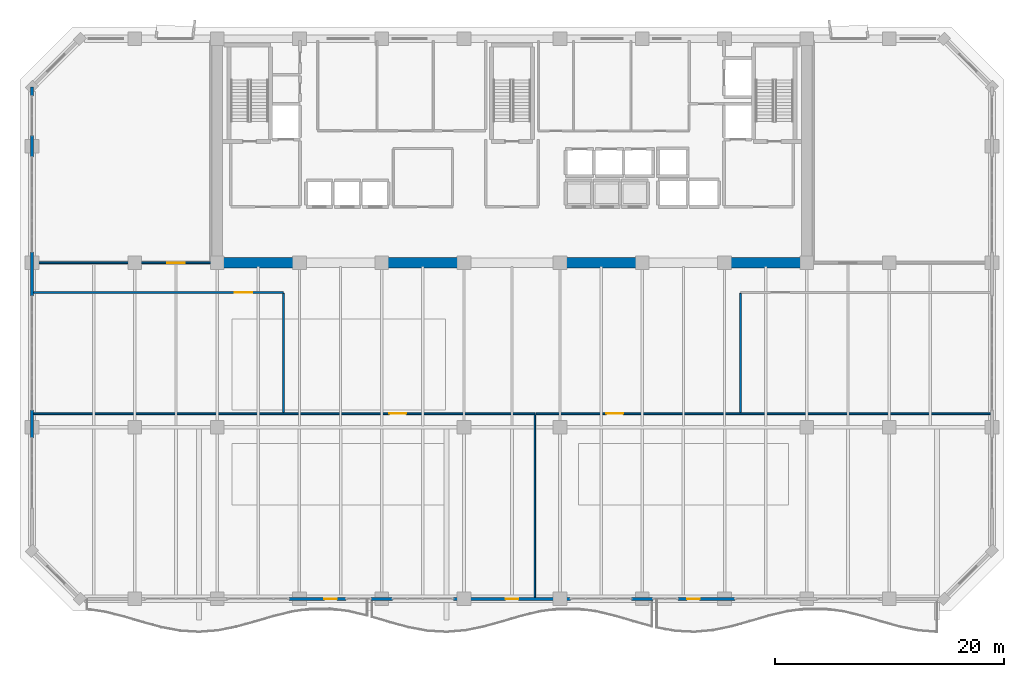
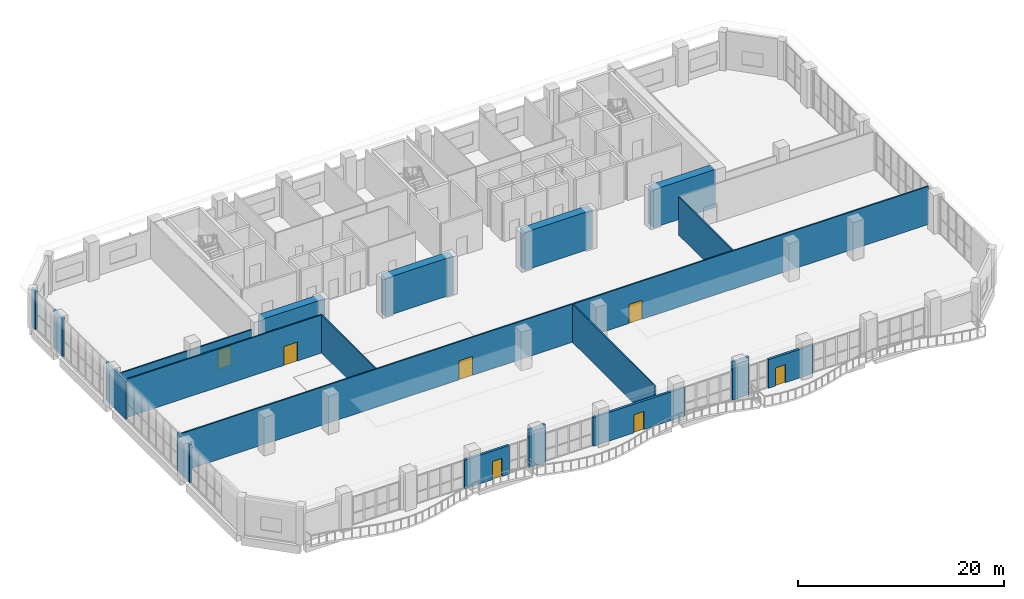
# One storey, part 28 of 37: 20 walls, 7 doors, 7 openings.
"""IFC4 building model written with IfcOpenShell, lengths in metres."""

from ifc_helpers import new_model, si_unit, direction, frame, frame_2d, origin, place, context, subcontext, project, spatial, rectangle, extrude, material, layer, layer_set, type_object, element, fill, save


model = new_model("IFC4")

# Units and contexts
model_context = context("Model", 3, precision=1e-05, world=origin(), true_north=direction((0.0, 1.0)))
body_context = subcontext(model_context, "Body", "Model", "MODEL_VIEW")
ifc_project = project(units=[si_unit("LENGTHUNIT", "METRE"), si_unit("AREAUNIT", "SQUARE_METRE"), si_unit("VOLUMEUNIT", "CUBIC_METRE"), si_unit("PLANEANGLEUNIT", "RADIAN"), si_unit("MASSUNIT", "GRAM", prefix="KILO")], contexts=[model_context])

# Site, building, storey
site_placement = place(None, origin())
site = spatial("IfcSite", under=ifc_project, at=site_placement, CompositionType="ELEMENT")
building_placement = place(site_placement, origin())
building = spatial("IfcBuilding", under=site, at=building_placement, Name="Kaelvorn Grand Hotel", CompositionType="ELEMENT")
storey_placement = place(building_placement, frame((0.0, 0.0, 130.550048828125)))
storey = spatial("IfcBuildingStorey", under=building, at=storey_placement, Name="L31", CompositionType="ELEMENT", Elevation=130.550048828125)

# Walls
ifc_material_1 = material(Name="Concrete C60/75", Category="concrete")
ifc_layer_1 = layer(ifc_material_1, 0.89990234375)
ifc_layer_set_1 = layer_set([ifc_layer_1], Name="Concrete C60/75")
wall_type_1 = type_object("IfcWallType", Name="WL-CORE-900-C60", PredefinedType="SHEAR", material=ifc_layer_set_1)
wall_1_placement = place(storey_placement, frame((16.655029296875, 29.39990234375, 0.0), z_axis=(0.0, 0.0, 1.0), x_axis=(1.0, 0.0, 0.0)))
element("IfcWall", 1, at=wall_1_placement, inside=storey, type_object=wall_type_1, Name="L31 Rear-Core Coupled Shear Pier S1", PredefinedType="SHEAR", context=body_context, shape_type="SweptSolid", body=[
    extrude(rectangle(XDim=6.945068359375, YDim=0.89990234375, at=frame_2d((3.47265625, 0.0))), origin(), (0.0, 0.0, 1.0), 4.52001953125),
])
for number, where, z_axis, x_axis, name in (
    (2, (30.39990234375, 29.39990234375, 0.0), (0.0, 0.0, 1.0), (1.0, 0.0, 0.0), "L31 Rear-Core Coupled Shear Pier S2"),
    (3, (46.0, 29.39990234375, 0.0), (0.0, 0.0, 1.0), (1.0, 0.0, 0.0), "L31 Rear-Core Coupled Shear Pier S3"),
):
    element("IfcWall", number, at=place(storey_placement, frame(where, z_axis=z_axis, x_axis=x_axis)), inside=storey, type_object=wall_type_1, Name=name, PredefinedType="SHEAR", context=body_context, shape_type="SweptSolid", body=[
        extrude(rectangle(XDim=7.60009765625, YDim=0.89990234375, at=frame_2d((3.800048828125, 0.0))), origin(), (0.0, 0.0, 1.0), 4.52001953125),
    ])
wall_2_placement = place(storey_placement, frame((60.39990234375, 29.39990234375, 0.0), z_axis=(0.0, 0.0, 1.0), x_axis=(1.0, 0.0, 0.0)))
element("IfcWall", 4, at=wall_2_placement, inside=storey, type_object=wall_type_1, Name="L31 Rear-Core Coupled Shear Pier S4", PredefinedType="SHEAR", context=body_context, shape_type="SweptSolid", body=[
    extrude(rectangle(XDim=6.945068359375, YDim=0.89990234375, at=frame_2d((3.47265625, 0.0))), origin(), (0.0, 0.0, 1.0), 4.52001953125),
])

# Wall, opening, door
ifc_material_2 = material(Name="Concrete C40/50", Category="concrete")
ifc_layer_2 = layer(ifc_material_2, 0.260009765625)
ifc_layer_set_2 = layer_set([ifc_layer_2], Name="Concrete C40/50")
wall_type_2 = type_object("IfcWallType", Name="WL-EXT-260-C40", PredefinedType="SOLIDWALL", material=ifc_layer_set_2)
wall_3_placement = place(storey_placement, frame((22.47509765625, 0.0, 0.0), z_axis=(0.0, 0.0, 1.0), x_axis=(1.0, 0.0, 0.0)))
wall_3 = element("IfcWall", 5, at=wall_3_placement, inside=storey, type_object=wall_type_2, Name="L31 Exterior Architectural Concrete Wall 01 Pier 3", PredefinedType="SOLIDWALL", context=body_context, shape_type="SweptSolid", body=[
    extrude(rectangle(XDim=5.01318359375, YDim=0.260009765625, at=frame_2d((2.506591796875, 0.0))), origin(), (0.0, 0.0, 1.0), 3.39990234375),
])
opening_1_placement = place(wall_3_placement, frame((3.1083984375, 0.0, 0.0)))
opening_1 = element("IfcOpeningElement", 6, at=opening_1_placement, cuts=wall_3, Name="Opening DE2", PredefinedType="OPENING", context=body_context, shape_type="SweptSolid", body=[
    extrude(rectangle(XDim=1.10009765625, YDim=2.14990234375, at=frame_2d((0.550048828125, 1.074951171875))), frame((0.0, 0.14013671875, 0.0), z_axis=(0.0, -1.0, 0.0), x_axis=(1.0, 0.0, 0.0)), (0.0, 0.0, 1.0), 0.280029296875),
])
ifc_material_3 = material(Name="Anodised Aluminium", Category="aluminium")
door_type_1 = type_object("IfcDoorType", Name="DR-EXT-BALC-1100x2150", OperationType="NOTDEFINED", PredefinedType="DOOR", material=ifc_material_3)
door_1_placement = place(opening_1_placement, origin())
door_1 = element("IfcDoor", 7, at=door_1_placement, inside=storey, type_object=door_type_1, Name="L31 Scalloped Balcony Glazed Door DE2-1", OperationType="SINGLE_SWING_LEFT", OverallHeight=2.14990234375, OverallWidth=1.10009765625, PredefinedType="DOOR", context=body_context, shape_type="SweptSolid", body=[
    extrude(rectangle(XDim=1.10009765625, YDim=2.14990234375, at=frame_2d((0.550048828125, 1.074951171875))), frame((0.0, 0.02490234375, 0.0), z_axis=(0.0, -1.0, 0.0), x_axis=(1.0, 0.0, 0.0)), (0.0, 0.0, 1.0), 0.050048828125),
])
fill(opening_1, door_1)

# Wall
wall_4_placement = place(storey_placement, frame((29.675048828125, 0.0, 0.0), z_axis=(0.0, 0.0, 1.0), x_axis=(1.0, 0.0, 0.0)))
element("IfcWall", 8, at=wall_4_placement, inside=storey, type_object=wall_type_2, Name="L31 Exterior Architectural Concrete Wall 01 Pier 4", PredefinedType="SOLIDWALL", context=body_context, shape_type="SweptSolid", body=[
    extrude(rectangle(XDim=1.849853515625, YDim=0.260009765625, at=frame_2d((0.9248046875, 0.0))), origin(), (0.0, 0.0, 1.0), 4.52001953125),
])

# Wall, opening, door
wall_5_placement = place(storey_placement, frame((36.875, 0.0, 0.0), z_axis=(0.0, 0.0, 1.0), x_axis=(1.0, 0.0, 0.0)))
wall_5 = element("IfcWall", 9, at=wall_5_placement, inside=storey, type_object=wall_type_2, Name="L31 Exterior Architectural Concrete Wall 01 Pier 5", PredefinedType="SOLIDWALL", context=body_context, shape_type="SweptSolid", body=[
    extrude(rectangle(XDim=10.25, YDim=0.260009765625, at=frame_2d((5.125, 0.0))), origin(), (0.0, 0.0, 1.0), 3.39990234375),
])
opening_2_placement = place(wall_5_placement, frame((4.574951171875, 0.0, 0.0)))
opening_2 = element("IfcOpeningElement", 10, at=opening_2_placement, cuts=wall_5, Name="Opening DE2", PredefinedType="OPENING", context=body_context, shape_type="SweptSolid", body=[
    extrude(rectangle(XDim=1.10009765625, YDim=2.14990234375, at=frame_2d((0.550048828125, 1.074951171875))), frame((0.0, 0.14013671875, 0.0), z_axis=(0.0, -1.0, 0.0), x_axis=(1.0, 0.0, 0.0)), (0.0, 0.0, 1.0), 0.280029296875),
])
door_2_placement = place(opening_2_placement, origin())
door_2 = element("IfcDoor", 11, at=door_2_placement, inside=storey, type_object=door_type_1, Name="L31 Scalloped Balcony Glazed Door DE2-2", OperationType="SINGLE_SWING_RIGHT", OverallHeight=2.14990234375, OverallWidth=1.10009765625, PredefinedType="DOOR", context=body_context, shape_type="SweptSolid", body=[
    extrude(rectangle(XDim=1.10009765625, YDim=2.14990234375, at=frame_2d((0.550048828125, 1.074951171875))), frame((0.0, 0.02490234375, 0.0), z_axis=(0.0, -1.0, 0.0), x_axis=(1.0, 0.0, 0.0)), (0.0, 0.0, 1.0), 0.050048828125),
])
fill(opening_2, door_2)

# Wall
wall_6_placement = place(storey_placement, frame((52.47509765625, 0.0, 0.0), z_axis=(0.0, 0.0, 1.0), x_axis=(1.0, 0.0, 0.0)))
element("IfcWall", 12, at=wall_6_placement, inside=storey, type_object=wall_type_2, Name="L31 Exterior Architectural Concrete Wall 01 Pier 6", PredefinedType="SOLIDWALL", context=body_context, shape_type="SweptSolid", body=[
    extrude(rectangle(XDim=1.849853515625, YDim=0.260009765625, at=frame_2d((0.9248046875, 0.0))), origin(), (0.0, 0.0, 1.0), 4.52001953125),
])

# Wall, opening, door
wall_7_placement = place(storey_placement, frame((56.51171875, 0.0, 0.0), z_axis=(0.0, 0.0, 1.0), x_axis=(1.0, 0.0, 0.0)))
wall_7 = element("IfcWall", 13, at=wall_7_placement, inside=storey, type_object=wall_type_2, Name="L31 Exterior Architectural Concrete Wall 01 Pier 7", PredefinedType="SOLIDWALL", context=body_context, shape_type="SweptSolid", body=[
    extrude(rectangle(XDim=5.01318359375, YDim=0.260009765625, at=frame_2d((2.506591796875, 0.0))), origin(), (0.0, 0.0, 1.0), 3.39990234375),
])
opening_3_placement = place(wall_7_placement, frame((0.804931640625, 0.0, 0.0)))
opening_3 = element("IfcOpeningElement", 14, at=opening_3_placement, cuts=wall_7, Name="Opening DE2", PredefinedType="OPENING", context=body_context, shape_type="SweptSolid", body=[
    extrude(rectangle(XDim=1.10009765625, YDim=2.14990234375, at=frame_2d((0.550048828125, 1.074951171875))), frame((0.0, 0.14013671875, 0.0), z_axis=(0.0, -1.0, 0.0), x_axis=(1.0, 0.0, 0.0)), (0.0, 0.0, 1.0), 0.280029296875),
])
door_3_placement = place(opening_3_placement, origin())
door_3 = element("IfcDoor", 15, at=door_3_placement, inside=storey, type_object=door_type_1, Name="L31 Scalloped Balcony Glazed Door DE2-3", OperationType="SINGLE_SWING_LEFT", OverallHeight=2.14990234375, OverallWidth=1.10009765625, PredefinedType="DOOR", context=body_context, shape_type="SweptSolid", body=[
    extrude(rectangle(XDim=1.10009765625, YDim=2.14990234375, at=frame_2d((0.550048828125, 1.074951171875))), frame((0.0, 0.02490234375, 0.0), z_axis=(0.0, -1.0, 0.0), x_axis=(1.0, 0.0, 0.0)), (0.0, 0.0, 1.0), 0.050048828125),
])
fill(opening_3, door_3)

# Walls
wall_8_placement = place(storey_placement, frame((0.0, 44.800048828125, 0.0), z_axis=(0.0, 0.0, 1.0), x_axis=(0.0, -1.0, 0.0)))
element("IfcWall", 16, at=wall_8_placement, inside=storey, type_object=wall_type_2, Name="L31 Exterior Architectural Concrete Wall 07 Pier 1", PredefinedType="SOLIDWALL", context=body_context, shape_type="SweptSolid", body=[
    extrude(rectangle(XDim=0.804931640625, YDim=0.260009765625, at=frame_2d((0.40234375, 0.0))), origin(), (0.0, 0.0, 1.0), 4.52001953125),
])
wall_9_placement = place(storey_placement, frame((0.0, 40.52490234375, 0.0), z_axis=(0.0, 0.0, 1.0), x_axis=(0.0, -1.0, 0.0)))
element("IfcWall", 17, at=wall_9_placement, inside=storey, type_object=wall_type_2, Name="L31 Exterior Architectural Concrete Wall 07 Pier 2", PredefinedType="SOLIDWALL", context=body_context, shape_type="SweptSolid", body=[
    extrude(rectangle(XDim=1.849853515625, YDim=0.260009765625, at=frame_2d((0.9248046875, 0.0))), origin(), (0.0, 0.0, 1.0), 4.52001953125),
])
wall_10_placement = place(storey_placement, frame((0.0, 30.324951171875, 0.0), z_axis=(0.0, 0.0, 1.0), x_axis=(0.0, -1.0, 0.0)))
element("IfcWall", 18, at=wall_10_placement, inside=storey, type_object=wall_type_2, Name="L31 Exterior Architectural Concrete Wall 07 Pier 3", PredefinedType="SOLIDWALL", context=body_context, shape_type="SweptSolid", body=[
    extrude(rectangle(XDim=3.849853515625, YDim=0.260009765625, at=frame_2d((1.9248046875, 0.0))), origin(), (0.0, 0.0, 1.0), 4.52001953125),
])
wall_11_placement = place(storey_placement, frame((0.0, 16.52490234375, 0.0), z_axis=(0.0, 0.0, 1.0), x_axis=(0.0, -1.0, 0.0)))
element("IfcWall", 19, at=wall_11_placement, inside=storey, type_object=wall_type_2, Name="L31 Exterior Architectural Concrete Wall 07 Pier 4", PredefinedType="SOLIDWALL", context=body_context, shape_type="SweptSolid", body=[
    extrude(rectangle(XDim=2.449951171875, YDim=0.260009765625, at=frame_2d((1.22509765625, 0.0))), origin(), (0.0, 0.0, 1.0), 4.52001953125),
])

# Wall, opening, door
ifc_material_4 = material(Name="Acoustic Gypsum & Stud Partition")
ifc_layer_3 = layer(ifc_material_4, 0.14990234375)
ifc_layer_set_3 = layer_set([ifc_layer_3], Name="Acoustic Gypsum & Stud Partition")
wall_type_3 = type_object("IfcWallType", Name="WL-PART-150-EI60", PredefinedType="PARTITIONING", material=ifc_layer_set_3)
wall_12_placement = place(storey_placement, frame((0.14990234375, 16.199951171875, 0.0), z_axis=(0.0, 0.0, 1.0), x_axis=(1.0, 0.0, 0.0)))
wall_12 = element("IfcWall", 20, at=wall_12_placement, inside=storey, type_object=wall_type_3, Name="L31 Specialty Restaurant N Partition", PredefinedType="PARTITIONING", context=body_context, shape_type="SweptSolid", body=[
    extrude(rectangle(XDim=43.85009765625, YDim=0.14990234375, at=frame_2d((21.925048828125, 0.0))), origin(), (0.0, 0.0, 1.0), 4.52001953125),
])
opening_4_placement = place(wall_12_placement, frame((31.10009765625, 0.0, 0.0)))
opening_4 = element("IfcOpeningElement", 21, at=opening_4_placement, cuts=wall_12, Name="Opening DI5", PredefinedType="OPENING", context=body_context, shape_type="SweptSolid", body=[
    extrude(rectangle(XDim=1.5, YDim=2.25, at=frame_2d((0.75, 1.125))), frame((0.0, 0.0849609375, 0.0), z_axis=(0.0, -1.0, 0.0), x_axis=(1.0, 0.0, 0.0)), (0.0, 0.0, 1.0), 0.169921875),
])
ifc_material_5 = material(Name="Timber Veneer Fire Leaf", Category="wood")
door_type_2 = type_object("IfcDoorType", Name="DR-INT-SALON-1500x2250", OperationType="DOUBLE_DOOR_SINGLE_SWING", PredefinedType="DOOR", material=ifc_material_5)
door_4_placement = place(opening_4_placement, origin())
door_4 = element("IfcDoor", 22, at=door_4_placement, inside=storey, type_object=door_type_2, Name="L31 Specialty Restaurant Door", OperationType="DOUBLE_DOOR_SINGLE_SWING", OverallHeight=2.25, OverallWidth=1.5, PredefinedType="DOOR", context=body_context, shape_type="SweptSolid", body=[
    extrude(rectangle(XDim=1.5, YDim=2.25, at=frame_2d((0.75, 1.125))), frame((0.0, 0.02490234375, 0.0), z_axis=(0.0, -1.0, 0.0), x_axis=(1.0, 0.0, 0.0)), (0.0, 0.0, 1.0), 0.050048828125),
])
fill(opening_4, door_4)

# Wall
wall_13_placement = place(storey_placement, frame((44.0, 0.14990234375, 0.0), z_axis=(0.0, 0.0, 1.0), x_axis=(0.0, 1.0, 0.0)))
element("IfcWall", 23, at=wall_13_placement, inside=storey, type_object=wall_type_3, Name="L31 Specialty Restaurant E Partition", PredefinedType="PARTITIONING", context=body_context, shape_type="SweptSolid", body=[
    extrude(rectangle(XDim=15.97021484375, YDim=0.14990234375, at=frame_2d((7.985107421875, 0.0))), origin(), (0.0, 0.0, 1.0), 4.52001953125),
])

# Wall, opening, door
wall_14_placement = place(storey_placement, frame((44.080078125, 16.199951171875, 0.0), z_axis=(0.0, 0.0, 1.0), x_axis=(1.0, 0.0, 0.0)))
wall_14 = element("IfcWall", 24, at=wall_14_placement, inside=storey, type_object=wall_type_3, Name="L31 Finishing Kitchen N Partition", PredefinedType="PARTITIONING", context=body_context, shape_type="SweptSolid", body=[
    extrude(rectangle(XDim=39.77001953125, YDim=0.14990234375, at=frame_2d((19.885009765625, 0.0))), origin(), (0.0, 0.0, 1.0), 4.52001953125),
])
opening_5_placement = place(wall_14_placement, frame((6.169921875, 0.0, 0.0)))
opening_5 = element("IfcOpeningElement", 25, at=opening_5_placement, cuts=wall_14, Name="Opening DI5", PredefinedType="OPENING", context=body_context, shape_type="SweptSolid", body=[
    extrude(rectangle(XDim=1.5, YDim=2.25, at=frame_2d((0.75, 1.125))), frame((0.0, 0.0849609375, 0.0), z_axis=(0.0, -1.0, 0.0), x_axis=(1.0, 0.0, 0.0)), (0.0, 0.0, 1.0), 0.169921875),
])
door_5_placement = place(opening_5_placement, origin())
door_5 = element("IfcDoor", 26, at=door_5_placement, inside=storey, type_object=door_type_2, Name="L31 Finishing Kitchen Door", OperationType="DOUBLE_DOOR_SINGLE_SWING", OverallHeight=2.25, OverallWidth=1.5, PredefinedType="DOOR", context=body_context, shape_type="SweptSolid", body=[
    extrude(rectangle(XDim=1.5, YDim=2.25, at=frame_2d((0.75, 1.125))), frame((0.0, 0.02490234375, 0.0), z_axis=(0.0, -1.0, 0.0), x_axis=(1.0, 0.0, 0.0)), (0.0, 0.0, 1.0), 0.050048828125),
])
fill(opening_5, door_5)

wall_15_placement = place(storey_placement, frame((0.14990234375, 26.800048828125, 0.0), z_axis=(0.0, 0.0, 1.0), x_axis=(1.0, 0.0, 0.0)))
wall_15 = element("IfcWall", 27, at=wall_15_placement, inside=storey, type_object=wall_type_3, Name="L31 Sky Atrium Lounge Bar N Partition", PredefinedType="PARTITIONING", context=body_context, shape_type="SweptSolid", body=[
    extrude(rectangle(XDim=21.85009765625, YDim=0.14990234375, at=frame_2d((10.925048828125, 0.0))), origin(), (0.0, 0.0, 1.0), 4.52001953125),
])
opening_6_placement = place(wall_15_placement, frame((17.60009765625, 0.0, 0.0)))
opening_6 = element("IfcOpeningElement", 28, at=opening_6_placement, cuts=wall_15, Name="Opening DI5", PredefinedType="OPENING", context=body_context, shape_type="SweptSolid", body=[
    extrude(rectangle(XDim=1.5, YDim=2.25, at=frame_2d((0.75, 1.125))), frame((0.0, 0.0849609375, 0.0), z_axis=(0.0, -1.0, 0.0), x_axis=(1.0, 0.0, 0.0)), (0.0, 0.0, 1.0), 0.169921875),
])
door_6_placement = place(opening_6_placement, origin())
door_6 = element("IfcDoor", 29, at=door_6_placement, inside=storey, type_object=door_type_2, Name="L31 Sky Atrium Lounge Bar Door", OperationType="DOUBLE_DOOR_SINGLE_SWING", OverallHeight=2.25, OverallWidth=1.5, PredefinedType="DOOR", context=body_context, shape_type="SweptSolid", body=[
    extrude(rectangle(XDim=1.5, YDim=2.25, at=frame_2d((0.75, 1.125))), frame((0.0, 0.02490234375, 0.0), z_axis=(0.0, -1.0, 0.0), x_axis=(1.0, 0.0, 0.0)), (0.0, 0.0, 1.0), 0.050048828125),
])
fill(opening_6, door_6)

# Walls
for number, where, z_axis, x_axis, name in (
    (30, (22.0, 16.280029296875, 0.0), (0.0, 0.0, 1.0), (0.0, 1.0, 0.0), "L31 Sky Atrium Lounge Bar E Partition"),
    (31, (62.0, 16.280029296875, 0.0), (0.0, 0.0, 1.0), (0.0, 1.0, 0.0), "L31 Sky Private Dining Salon W Partition"),
):
    element("IfcWall", number, at=place(storey_placement, frame(where, z_axis=z_axis, x_axis=x_axis)), inside=storey, type_object=wall_type_3, Name=name, PredefinedType="PARTITIONING", context=body_context, shape_type="SweptSolid", body=[
        extrude(rectangle(XDim=10.43994140625, YDim=0.14990234375, at=frame_2d((5.219970703125, 0.0))), origin(), (0.0, 0.0, 1.0), 4.52001953125),
    ])

# Wall, opening, door
wall_16_placement = place(storey_placement, frame((0.14990234375, 29.39990234375, 0.0), z_axis=(0.0, 0.0, 1.0), x_axis=(1.0, 0.0, 0.0)))
wall_16 = element("IfcWall", 32, at=wall_16_placement, inside=storey, type_object=wall_type_3, Name="L31 Sky Sommelier Cellar & Tasting Room S Partition", PredefinedType="PARTITIONING", context=body_context, shape_type="SweptSolid", body=[
    extrude(rectangle(XDim=15.5, YDim=0.14990234375, at=frame_2d((7.75, 0.0))), origin(), (0.0, 0.0, 1.0), 3.39990234375),
])
opening_7_placement = place(wall_16_placement, frame((11.699951171875, 0.0, 0.0)))
opening_7 = element("IfcOpeningElement", 33, at=opening_7_placement, cuts=wall_16, Name="Opening DI5", PredefinedType="OPENING", context=body_context, shape_type="SweptSolid", body=[
    extrude(rectangle(XDim=1.5, YDim=2.25, at=frame_2d((0.75, 1.125))), frame((0.0, 0.0849609375, 0.0), z_axis=(0.0, -1.0, 0.0), x_axis=(1.0, 0.0, 0.0)), (0.0, 0.0, 1.0), 0.169921875),
])
door_7_placement = place(opening_7_placement, origin())
door_7 = element("IfcDoor", 34, at=door_7_placement, inside=storey, type_object=door_type_2, Name="L31 Sky Sommelier Cellar & Tasting Room Door", OperationType="DOUBLE_DOOR_SINGLE_SWING", OverallHeight=2.25, OverallWidth=1.5, PredefinedType="DOOR", context=body_context, shape_type="SweptSolid", body=[
    extrude(rectangle(XDim=1.5, YDim=2.25, at=frame_2d((0.75, 1.125))), frame((0.0, 0.02490234375, 0.0), z_axis=(0.0, -1.0, 0.0), x_axis=(1.0, 0.0, 0.0)), (0.0, 0.0, 1.0), 0.050048828125),
])
fill(opening_7, door_7)

save(model, "model.ifc")
